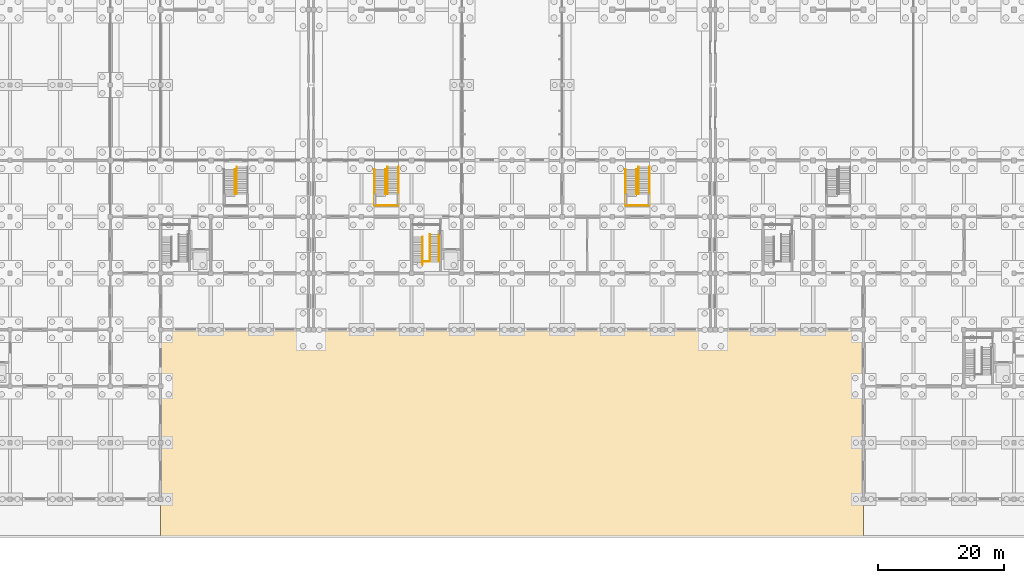
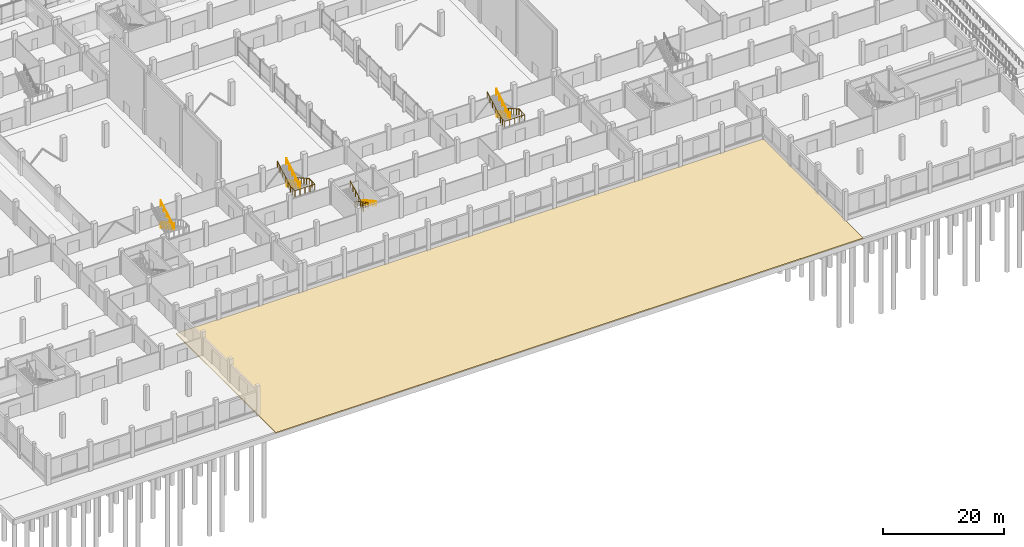
# One storey, part 62 of 72: 7 railings, 1 covering.
"""IFC4 building model written with IfcOpenShell, lengths in metres."""

from ifc_helpers import new_model, si_unit, direction, frame, origin, origin_2d, place, context, subcontext, project, spatial, polyline, circle, outline, extrude, material, layer, layer_set, type_object, element, save


model = new_model("IFC4")

# Units and contexts
model_context = context("Model", 3, precision=1e-05, world=origin(), true_north=direction((0.0, 1.0)))
body_context = subcontext(model_context, "Body", "Model", "MODEL_VIEW")
ifc_project = project(units=[si_unit("LENGTHUNIT", "METRE"), si_unit("AREAUNIT", "SQUARE_METRE"), si_unit("VOLUMEUNIT", "CUBIC_METRE"), si_unit("PLANEANGLEUNIT", "RADIAN"), si_unit("MASSUNIT", "GRAM", prefix="KILO"), si_unit("THERMODYNAMICTEMPERATUREUNIT", "KELVIN"), si_unit("POWERUNIT", "WATT")], contexts=[model_context])

# Site, building, storey
site_placement = place(None, origin())
site = spatial("IfcSite", under=ifc_project, at=site_placement, CompositionType="ELEMENT")
building_placement = place(site_placement, origin())
building = spatial("IfcBuilding", under=site, at=building_placement, Name="Kronsvod Quay Wholesale Market", CompositionType="ELEMENT")
storey_placement = place(building_placement, origin())
storey = spatial("IfcBuildingStorey", under=building, at=storey_placement, Name="L00", CompositionType="ELEMENT", Elevation=0.0)

# Covering
ifc_material_1 = material(Name="Natural granite harbour quay paving", Category="masonry")
ifc_layer = layer(ifc_material_1, 0.179931640625)
ifc_layer_set = layer_set([ifc_layer], Name="Natural granite harbour quay paving")
covering_type = type_object("IfcCoveringType", Name="Cov_SitePaving160", PredefinedType="USERDEFINED", material=ifc_layer_set)
covering_placement = place(storey_placement, frame((0.0, 0.0, -1.3798828125)))
element("IfcCovering", 1, at=covering_placement, inside=storey, type_object=covering_type, Name="PAV-APR-S1", ObjectType="PAVING", PredefinedType="USERDEFINED", context=body_context, shape_type="SweptSolid", body=[
    extrude(outline(polyline([(40.0, -6.0), (152.0, -6.0), (152.0, 27.0), (40.0, 27.0), (40.0, -6.0)])), origin(), (0.0, 0.0, 1.0), 0.179931640625),
])

# Railings
ifc_material_2 = material(Name="Stainless steel", Category="steel")
railing_type_1 = type_object("IfcRailingType", Name="Railing_Guard1200", PredefinedType="GUARDRAIL", material=ifc_material_2)
railing_1_placement = place(storey_placement, frame((82.909912109375, 42.179931640625, 0.0)))
element("IfcRailing", 2, at=railing_1_placement, inside=storey, type_object=railing_type_1, Name="ST04-L00-SLOT-GRD", PredefinedType="GUARDRAIL", context=body_context, shape_type="SweptSolid", body=[
    extrude(circle(Radius=0.02392578125, at=origin_2d()), frame((0.0, 0.0, 1.17578125), z_axis=(0.0, -0.873208496407, 0.487346818809), x_axis=(1.0, 0.0, 0.0)), (0.0, 0.0, 1.0), 4.92431640625),
    extrude(circle(Radius=0.02392578125, at=origin_2d()), frame((0.0, -4.300048828125, 3.57568359375), z_axis=(-1.0, 0.0, 0.0), x_axis=(0.0, -1.0, 0.0)), (0.0, 0.0, 1.0), 1.159912109375),
    extrude(circle(Radius=0.02392578125, at=origin_2d()), frame((-1.159912109375, -4.300048828125, 3.57568359375), z_axis=(0.0, -1.0, 0.0), x_axis=(1.0, 0.0, 0.0)), (0.0, 0.0, 1.0), 0.469970703125),
    extrude(circle(Radius=0.02392578125, at=origin_2d()), frame((-1.159912109375, -4.77001953125, 3.57568359375), z_axis=(0.0, 0.875569800069, 0.483091632309), x_axis=(-1.0, 0.0, 0.0)), (0.0, 0.0, 1.0), 4.96826171875),
    extrude(circle(Radius=0.02099609375, at=origin_2d()), origin(), (0.0, 0.0, 1.0), 1.15185546875),
    extrude(circle(Radius=0.02099609375, at=origin_2d()), frame((0.0, -0.860107421875, 0.47998046875)), (0.0, 0.0, 1.0), 1.15185546875),
    extrude(circle(Radius=0.02099609375, at=origin_2d()), frame((0.0, -1.719970703125, 0.9599609375)), (0.0, 0.0, 1.0), 1.15185546875),
    extrude(circle(Radius=0.02099609375, at=origin_2d()), frame((0.0, -2.580078125, 1.43994140625)), (0.0, 0.0, 1.0), 1.15185546875),
    extrude(circle(Radius=0.02099609375, at=origin_2d()), frame((0.0, -3.43994140625, 1.919921875)), (0.0, 0.0, 1.0), 1.15185546875),
    extrude(circle(Radius=0.02099609375, at=origin_2d()), frame((0.0, -4.300048828125, 2.39990234375)), (0.0, 0.0, 1.0), 1.15185546875),
    extrude(circle(Radius=0.02099609375, at=origin_2d()), frame((-1.159912109375, -4.300048828125, 2.39990234375)), (0.0, 0.0, 1.0), 1.15185546875),
    extrude(circle(Radius=0.02099609375, at=origin_2d()), frame((-1.159912109375, -4.77001953125, 2.39990234375)), (0.0, 0.0, 1.0), 1.15185546875),
    extrude(circle(Radius=0.02099609375, at=origin_2d()), frame((-1.159912109375, -3.89990234375, 2.8798828125)), (0.0, 0.0, 1.0), 1.15185546875),
    extrude(circle(Radius=0.02099609375, at=origin_2d()), frame((-1.159912109375, -3.030029296875, 3.35986328125)), (0.0, 0.0, 1.0), 1.15185546875),
    extrude(circle(Radius=0.02099609375, at=origin_2d()), frame((-1.159912109375, -2.159912109375, 3.840087890625)), (0.0, 0.0, 1.0), 1.15185546875),
    extrude(circle(Radius=0.02099609375, at=origin_2d()), frame((-1.159912109375, -1.2900390625, 4.320068359375)), (0.0, 0.0, 1.0), 1.15185546875),
    extrude(circle(Radius=0.02099609375, at=origin_2d()), frame((-1.159912109375, -0.419921875, 4.800048828125)), (0.0, 0.0, 1.0), 1.15185546875),
])
railing_2_placement = place(storey_placement, frame((52.14990234375, 52.949951171875, 0.0)))
element("IfcRailing", 3, at=railing_2_placement, inside=storey, type_object=railing_type_1, Name="ST-GAL-W1-SLOT-GRD", PredefinedType="GUARDRAIL", context=body_context, shape_type="SweptSolid", body=[
    extrude(circle(Radius=0.02392578125, at=origin_2d()), frame((0.0, 0.0, 1.17578125), z_axis=(0.0, -0.875579117544, 0.483074744652), x_axis=(1.0, 0.0, 0.0)), (0.0, 0.0, 1.0), 4.968017578125),
    extrude(circle(Radius=0.02392578125, at=origin_2d()), frame((0.0, -4.349853515625, 3.57568359375), z_axis=(-1.0, 0.0, 0.0), x_axis=(0.0, -1.0, 0.0)), (0.0, 0.0, 1.0), 0.2998046875),
    extrude(circle(Radius=0.02392578125, at=origin_2d()), frame((-0.2998046875, -4.349853515625, 3.57568359375), z_axis=(0.0, 0.855181543025, 0.518328591213), x_axis=(-1.0, 0.0, 0.0)), (0.0, 0.0, 1.0), 4.630615234375),
    extrude(circle(Radius=0.02099609375, at=origin_2d()), origin(), (0.0, 0.0, 1.0), 1.15185546875),
    extrude(circle(Radius=0.02099609375, at=origin_2d()), frame((0.0, -0.869873046875, 0.47998046875)), (0.0, 0.0, 1.0), 1.15185546875),
    extrude(circle(Radius=0.02099609375, at=origin_2d()), frame((0.0, -1.739990234375, 0.9599609375)), (0.0, 0.0, 1.0), 1.15185546875),
    extrude(circle(Radius=0.02099609375, at=origin_2d()), frame((0.0, -2.60986328125, 1.43994140625)), (0.0, 0.0, 1.0), 1.15185546875),
    extrude(circle(Radius=0.02099609375, at=origin_2d()), frame((0.0, -3.47998046875, 1.919921875)), (0.0, 0.0, 1.0), 1.15185546875),
    extrude(circle(Radius=0.02099609375, at=origin_2d()), frame((0.0, -4.349853515625, 2.39990234375)), (0.0, 0.0, 1.0), 1.15185546875),
    extrude(circle(Radius=0.02099609375, at=origin_2d()), frame((-0.2998046875, -4.349853515625, 2.39990234375)), (0.0, 0.0, 1.0), 1.15185546875),
    extrude(circle(Radius=0.02099609375, at=origin_2d()), frame((-0.2998046875, -3.35986328125, 3.0)), (0.0, 0.0, 1.0), 1.15185546875),
    extrude(circle(Radius=0.02099609375, at=origin_2d()), frame((-0.2998046875, -2.369873046875, 3.60009765625)), (0.0, 0.0, 1.0), 1.15185546875),
    extrude(circle(Radius=0.02099609375, at=origin_2d()), frame((-0.2998046875, -1.3798828125, 4.199951171875)), (0.0, 0.0, 1.0), 1.15185546875),
    extrude(circle(Radius=0.02099609375, at=origin_2d()), frame((-0.2998046875, -0.389892578125, 4.800048828125)), (0.0, 0.0, 1.0), 1.15185546875),
])
railing_3_placement = place(storey_placement, frame((76.14990234375, 52.949951171875, 0.0)))
element("IfcRailing", 4, at=railing_3_placement, inside=storey, type_object=railing_type_1, Name="ST-GAL-W2-SLOT-GRD", PredefinedType="GUARDRAIL", context=body_context, shape_type="SweptSolid", body=[
    extrude(circle(Radius=0.02392578125, at=origin_2d()), frame((0.0, 0.0, 1.17578125), z_axis=(0.0, -0.875579117544, 0.483074744652), x_axis=(1.0, 0.0, 0.0)), (0.0, 0.0, 1.0), 4.968017578125),
    extrude(circle(Radius=0.02392578125, at=origin_2d()), frame((0.0, -4.349853515625, 3.57568359375), z_axis=(-1.0, 0.0, 0.0), x_axis=(0.0, -1.0, 0.0)), (0.0, 0.0, 1.0), 0.2998046875),
    extrude(circle(Radius=0.02392578125, at=origin_2d()), frame((-0.2998046875, -4.349853515625, 3.57568359375), z_axis=(0.0, 0.855181543025, 0.518328591213), x_axis=(-1.0, 0.0, 0.0)), (0.0, 0.0, 1.0), 4.630615234375),
    extrude(circle(Radius=0.02099609375, at=origin_2d()), origin(), (0.0, 0.0, 1.0), 1.15185546875),
    extrude(circle(Radius=0.02099609375, at=origin_2d()), frame((0.0, -0.869873046875, 0.47998046875)), (0.0, 0.0, 1.0), 1.15185546875),
    extrude(circle(Radius=0.02099609375, at=origin_2d()), frame((0.0, -1.739990234375, 0.9599609375)), (0.0, 0.0, 1.0), 1.15185546875),
    extrude(circle(Radius=0.02099609375, at=origin_2d()), frame((0.0, -2.60986328125, 1.43994140625)), (0.0, 0.0, 1.0), 1.15185546875),
    extrude(circle(Radius=0.02099609375, at=origin_2d()), frame((0.0, -3.47998046875, 1.919921875)), (0.0, 0.0, 1.0), 1.15185546875),
    extrude(circle(Radius=0.02099609375, at=origin_2d()), frame((0.0, -4.349853515625, 2.39990234375)), (0.0, 0.0, 1.0), 1.15185546875),
    extrude(circle(Radius=0.02099609375, at=origin_2d()), frame((-0.2998046875, -4.349853515625, 2.39990234375)), (0.0, 0.0, 1.0), 1.15185546875),
    extrude(circle(Radius=0.02099609375, at=origin_2d()), frame((-0.2998046875, -3.35986328125, 3.0)), (0.0, 0.0, 1.0), 1.15185546875),
    extrude(circle(Radius=0.02099609375, at=origin_2d()), frame((-0.2998046875, -2.369873046875, 3.60009765625)), (0.0, 0.0, 1.0), 1.15185546875),
    extrude(circle(Radius=0.02099609375, at=origin_2d()), frame((-0.2998046875, -1.3798828125, 4.199951171875)), (0.0, 0.0, 1.0), 1.15185546875),
    extrude(circle(Radius=0.02099609375, at=origin_2d()), frame((-0.2998046875, -0.389892578125, 4.800048828125)), (0.0, 0.0, 1.0), 1.15185546875),
])
railing_4_placement = place(storey_placement, frame((77.89990234375, 52.949951171875, 0.0)))
element("IfcRailing", 5, at=railing_4_placement, inside=storey, type_object=railing_type_1, Name="ST-GAL-W2-OUT-GRD", PredefinedType="GUARDRAIL", context=body_context, shape_type="SweptSolid", body=[
    extrude(circle(Radius=0.02392578125, at=origin_2d()), frame((0.0, 0.0, 1.17578125), z_axis=(0.0, -0.872724433274, 0.488213133342), x_axis=(1.0, 0.0, 0.0)), (0.0, 0.0, 1.0), 4.915771484375),
    extrude(circle(Radius=0.02392578125, at=origin_2d()), frame((0.0, -4.2900390625, 3.57568359375), z_axis=(0.0, -1.0, 0.0), x_axis=(1.0, 0.0, 0.0)), (0.0, 0.0, 1.0), 1.8798828125),
    extrude(circle(Radius=0.02392578125, at=origin_2d()), frame((0.0, -6.169921875, 3.57568359375), z_axis=(-1.0, 0.0, 0.0), x_axis=(0.0, -1.0, 0.0)), (0.0, 0.0, 1.0), 3.7998046875),
    extrude(circle(Radius=0.02392578125, at=origin_2d()), frame((-3.7998046875, -6.169921875, 3.57568359375), z_axis=(0.0, 1.0, 0.0), x_axis=(-1.0, 0.0, 0.0)), (0.0, 0.0, 1.0), 1.429931640625),
    extrude(circle(Radius=0.02392578125, at=origin_2d()), frame((-3.7998046875, -4.739990234375, 3.57568359375), z_axis=(0.0, 0.875569800069, 0.483091632309), x_axis=(-1.0, 0.0, 0.0)), (0.0, 0.0, 1.0), 4.96826171875),
    extrude(circle(Radius=0.02099609375, at=origin_2d()), origin(), (0.0, 0.0, 1.0), 1.15185546875),
    extrude(circle(Radius=0.02099609375, at=origin_2d()), frame((0.0, -0.85791015625, 0.47998046875)), (0.0, 0.0, 1.0), 1.15185546875),
    extrude(circle(Radius=0.02099609375, at=origin_2d()), frame((0.0, -1.716064453125, 0.9599609375)), (0.0, 0.0, 1.0), 1.15185546875),
    extrude(circle(Radius=0.02099609375, at=origin_2d()), frame((0.0, -2.573974609375, 1.43994140625)), (0.0, 0.0, 1.0), 1.15185546875),
    extrude(circle(Radius=0.02099609375, at=origin_2d()), frame((0.0, -3.43212890625, 1.919921875)), (0.0, 0.0, 1.0), 1.15185546875),
    extrude(circle(Radius=0.02099609375, at=origin_2d()), frame((0.0, -4.2900390625, 2.39990234375)), (0.0, 0.0, 1.0), 1.15185546875),
    extrude(circle(Radius=0.02099609375, at=origin_2d()), frame((0.0, -5.22998046875, 2.39990234375)), (0.0, 0.0, 1.0), 1.15185546875),
    extrude(circle(Radius=0.02099609375, at=origin_2d()), frame((0.0, -6.169921875, 2.39990234375)), (0.0, 0.0, 1.0), 1.15185546875),
    extrude(circle(Radius=0.02099609375, at=origin_2d()), frame((-0.949951171875, -6.169921875, 2.39990234375)), (0.0, 0.0, 1.0), 1.15185546875),
    extrude(circle(Radius=0.02099609375, at=origin_2d()), frame((-1.89990234375, -6.169921875, 2.39990234375)), (0.0, 0.0, 1.0), 1.15185546875),
    extrude(circle(Radius=0.02099609375, at=origin_2d()), frame((-2.849853515625, -6.169921875, 2.39990234375)), (0.0, 0.0, 1.0), 1.15185546875),
    extrude(circle(Radius=0.02099609375, at=origin_2d()), frame((-3.7998046875, -6.169921875, 2.39990234375)), (0.0, 0.0, 1.0), 1.15185546875),
    extrude(circle(Radius=0.02099609375, at=origin_2d()), frame((-3.7998046875, -5.455078125, 2.39990234375)), (0.0, 0.0, 1.0), 1.15185546875),
    extrude(circle(Radius=0.02099609375, at=origin_2d()), frame((-3.7998046875, -4.739990234375, 2.39990234375)), (0.0, 0.0, 1.0), 1.15185546875),
    extrude(circle(Radius=0.02099609375, at=origin_2d()), frame((-3.7998046875, -3.869873046875, 2.8798828125)), (0.0, 0.0, 1.0), 1.15185546875),
    extrude(circle(Radius=0.02099609375, at=origin_2d()), frame((-3.7998046875, -3.0, 3.35986328125)), (0.0, 0.0, 1.0), 1.15185546875),
    extrude(circle(Radius=0.02099609375, at=origin_2d()), frame((-3.7998046875, -2.1298828125, 3.840087890625)), (0.0, 0.0, 1.0), 1.15185546875),
    extrude(circle(Radius=0.02099609375, at=origin_2d()), frame((-3.7998046875, -1.260009765625, 4.320068359375)), (0.0, 0.0, 1.0), 1.15185546875),
    extrude(circle(Radius=0.02099609375, at=origin_2d()), frame((-3.7998046875, -0.389892578125, 4.800048828125)), (0.0, 0.0, 1.0), 1.15185546875),
])
railing_5_placement = place(storey_placement, frame((116.14990234375, 52.949951171875, 0.0)))
element("IfcRailing", 6, at=railing_5_placement, inside=storey, type_object=railing_type_1, Name="ST-GAL-E1-SLOT-GRD", PredefinedType="GUARDRAIL", context=body_context, shape_type="SweptSolid", body=[
    extrude(circle(Radius=0.02392578125, at=origin_2d()), frame((0.0, 0.0, 1.17578125), z_axis=(0.0, -0.875579117544, 0.483074744652), x_axis=(1.0, 0.0, 0.0)), (0.0, 0.0, 1.0), 4.968017578125),
    extrude(circle(Radius=0.02392578125, at=origin_2d()), frame((0.0, -4.349853515625, 3.57568359375), z_axis=(-1.0, 0.0, 0.0), x_axis=(0.0, -1.0, 0.0)), (0.0, 0.0, 1.0), 0.2998046875),
    extrude(circle(Radius=0.02392578125, at=origin_2d()), frame((-0.2998046875, -4.349853515625, 3.57568359375), z_axis=(0.0, 0.855181543025, 0.518328591213), x_axis=(-1.0, 0.0, 0.0)), (0.0, 0.0, 1.0), 4.630615234375),
    extrude(circle(Radius=0.02099609375, at=origin_2d()), origin(), (0.0, 0.0, 1.0), 1.15185546875),
    extrude(circle(Radius=0.02099609375, at=origin_2d()), frame((0.0, -0.869873046875, 0.47998046875)), (0.0, 0.0, 1.0), 1.15185546875),
    extrude(circle(Radius=0.02099609375, at=origin_2d()), frame((0.0, -1.739990234375, 0.9599609375)), (0.0, 0.0, 1.0), 1.15185546875),
    extrude(circle(Radius=0.02099609375, at=origin_2d()), frame((0.0, -2.60986328125, 1.43994140625)), (0.0, 0.0, 1.0), 1.15185546875),
    extrude(circle(Radius=0.02099609375, at=origin_2d()), frame((0.0, -3.47998046875, 1.919921875)), (0.0, 0.0, 1.0), 1.15185546875),
    extrude(circle(Radius=0.02099609375, at=origin_2d()), frame((0.0, -4.349853515625, 2.39990234375)), (0.0, 0.0, 1.0), 1.15185546875),
    extrude(circle(Radius=0.02099609375, at=origin_2d()), frame((-0.2998046875, -4.349853515625, 2.39990234375)), (0.0, 0.0, 1.0), 1.15185546875),
    extrude(circle(Radius=0.02099609375, at=origin_2d()), frame((-0.2998046875, -3.35986328125, 3.0)), (0.0, 0.0, 1.0), 1.15185546875),
    extrude(circle(Radius=0.02099609375, at=origin_2d()), frame((-0.2998046875, -2.369873046875, 3.60009765625)), (0.0, 0.0, 1.0), 1.15185546875),
    extrude(circle(Radius=0.02099609375, at=origin_2d()), frame((-0.2998046875, -1.3798828125, 4.199951171875)), (0.0, 0.0, 1.0), 1.15185546875),
    extrude(circle(Radius=0.02099609375, at=origin_2d()), frame((-0.2998046875, -0.389892578125, 4.800048828125)), (0.0, 0.0, 1.0), 1.15185546875),
])
railing_6_placement = place(storey_placement, frame((117.89990234375, 52.949951171875, 0.0)))
element("IfcRailing", 7, at=railing_6_placement, inside=storey, type_object=railing_type_1, Name="ST-GAL-E1-OUT-GRD", PredefinedType="GUARDRAIL", context=body_context, shape_type="SweptSolid", body=[
    extrude(circle(Radius=0.02392578125, at=origin_2d()), frame((0.0, 0.0, 1.17578125), z_axis=(0.0, -0.872724433274, 0.488213133342), x_axis=(1.0, 0.0, 0.0)), (0.0, 0.0, 1.0), 4.915771484375),
    extrude(circle(Radius=0.02392578125, at=origin_2d()), frame((0.0, -4.2900390625, 3.57568359375), z_axis=(0.0, -1.0, 0.0), x_axis=(1.0, 0.0, 0.0)), (0.0, 0.0, 1.0), 1.8798828125),
    extrude(circle(Radius=0.02392578125, at=origin_2d()), frame((0.0, -6.169921875, 3.57568359375), z_axis=(-1.0, 0.0, 0.0), x_axis=(0.0, -1.0, 0.0)), (0.0, 0.0, 1.0), 3.7998046875),
    extrude(circle(Radius=0.02392578125, at=origin_2d()), frame((-3.7998046875, -6.169921875, 3.57568359375), z_axis=(0.0, 1.0, 0.0), x_axis=(-1.0, 0.0, 0.0)), (0.0, 0.0, 1.0), 1.429931640625),
    extrude(circle(Radius=0.02392578125, at=origin_2d()), frame((-3.7998046875, -4.739990234375, 3.57568359375), z_axis=(0.0, 0.875569800069, 0.483091632309), x_axis=(-1.0, 0.0, 0.0)), (0.0, 0.0, 1.0), 4.96826171875),
    extrude(circle(Radius=0.02099609375, at=origin_2d()), origin(), (0.0, 0.0, 1.0), 1.15185546875),
    extrude(circle(Radius=0.02099609375, at=origin_2d()), frame((0.0, -0.85791015625, 0.47998046875)), (0.0, 0.0, 1.0), 1.15185546875),
    extrude(circle(Radius=0.02099609375, at=origin_2d()), frame((0.0, -1.716064453125, 0.9599609375)), (0.0, 0.0, 1.0), 1.15185546875),
    extrude(circle(Radius=0.02099609375, at=origin_2d()), frame((0.0, -2.573974609375, 1.43994140625)), (0.0, 0.0, 1.0), 1.15185546875),
    extrude(circle(Radius=0.02099609375, at=origin_2d()), frame((0.0, -3.43212890625, 1.919921875)), (0.0, 0.0, 1.0), 1.15185546875),
    extrude(circle(Radius=0.02099609375, at=origin_2d()), frame((0.0, -4.2900390625, 2.39990234375)), (0.0, 0.0, 1.0), 1.15185546875),
    extrude(circle(Radius=0.02099609375, at=origin_2d()), frame((0.0, -5.22998046875, 2.39990234375)), (0.0, 0.0, 1.0), 1.15185546875),
    extrude(circle(Radius=0.02099609375, at=origin_2d()), frame((0.0, -6.169921875, 2.39990234375)), (0.0, 0.0, 1.0), 1.15185546875),
    extrude(circle(Radius=0.02099609375, at=origin_2d()), frame((-0.949951171875, -6.169921875, 2.39990234375)), (0.0, 0.0, 1.0), 1.15185546875),
    extrude(circle(Radius=0.02099609375, at=origin_2d()), frame((-1.89990234375, -6.169921875, 2.39990234375)), (0.0, 0.0, 1.0), 1.15185546875),
    extrude(circle(Radius=0.02099609375, at=origin_2d()), frame((-2.849853515625, -6.169921875, 2.39990234375)), (0.0, 0.0, 1.0), 1.15185546875),
    extrude(circle(Radius=0.02099609375, at=origin_2d()), frame((-3.7998046875, -6.169921875, 2.39990234375)), (0.0, 0.0, 1.0), 1.15185546875),
    extrude(circle(Radius=0.02099609375, at=origin_2d()), frame((-3.7998046875, -5.455078125, 2.39990234375)), (0.0, 0.0, 1.0), 1.15185546875),
    extrude(circle(Radius=0.02099609375, at=origin_2d()), frame((-3.7998046875, -4.739990234375, 2.39990234375)), (0.0, 0.0, 1.0), 1.15185546875),
    extrude(circle(Radius=0.02099609375, at=origin_2d()), frame((-3.7998046875, -3.869873046875, 2.8798828125)), (0.0, 0.0, 1.0), 1.15185546875),
    extrude(circle(Radius=0.02099609375, at=origin_2d()), frame((-3.7998046875, -3.0, 3.35986328125)), (0.0, 0.0, 1.0), 1.15185546875),
    extrude(circle(Radius=0.02099609375, at=origin_2d()), frame((-3.7998046875, -2.1298828125, 3.840087890625)), (0.0, 0.0, 1.0), 1.15185546875),
    extrude(circle(Radius=0.02099609375, at=origin_2d()), frame((-3.7998046875, -1.260009765625, 4.320068359375)), (0.0, 0.0, 1.0), 1.15185546875),
    extrude(circle(Radius=0.02099609375, at=origin_2d()), frame((-3.7998046875, -0.389892578125, 4.800048828125)), (0.0, 0.0, 1.0), 1.15185546875),
])
ifc_material_3 = material(Name="Stainless steel", Category="steel")
railing_type_2 = type_object("IfcRailingType", Name="Railing_Handrail900", PredefinedType="HANDRAIL", material=ifc_material_3)
railing_7_placement = place(storey_placement, frame((84.3798828125, 42.179931640625, 0.0)))
element("IfcRailing", 8, at=railing_7_placement, inside=storey, type_object=railing_type_2, Name="ST04-L00-HDR", PredefinedType="HANDRAIL", context=body_context, shape_type="SweptSolid", body=[
    extrude(circle(Radius=0.02392578125, at=origin_2d()), frame((0.0, 0.0, 0.8759765625), z_axis=(0.0, -0.875579117544, 0.483074744652), x_axis=(1.0, 0.0, 0.0)), (0.0, 0.0, 1.0), 4.968017578125),
    extrude(circle(Radius=0.02099609375, at=origin_2d()), origin(), (0.0, 0.0, 1.0), 0.851806640625),
    extrude(circle(Radius=0.02099609375, at=origin_2d()), frame((0.0, -0.869873046875, 0.47998046875)), (0.0, 0.0, 1.0), 0.851806640625),
    extrude(circle(Radius=0.02099609375, at=origin_2d()), frame((0.0, -1.739990234375, 0.9599609375)), (0.0, 0.0, 1.0), 0.851806640625),
    extrude(circle(Radius=0.02099609375, at=origin_2d()), frame((0.0, -2.60986328125, 1.43994140625)), (0.0, 0.0, 1.0), 0.851806640625),
    extrude(circle(Radius=0.02099609375, at=origin_2d()), frame((0.0, -3.47998046875, 1.919921875)), (0.0, 0.0, 1.0), 0.851806640625),
    extrude(circle(Radius=0.02099609375, at=origin_2d()), frame((0.0, -4.349853515625, 2.39990234375)), (0.0, 0.0, 1.0), 0.851806640625),
])

save(model, "model.ifc")
